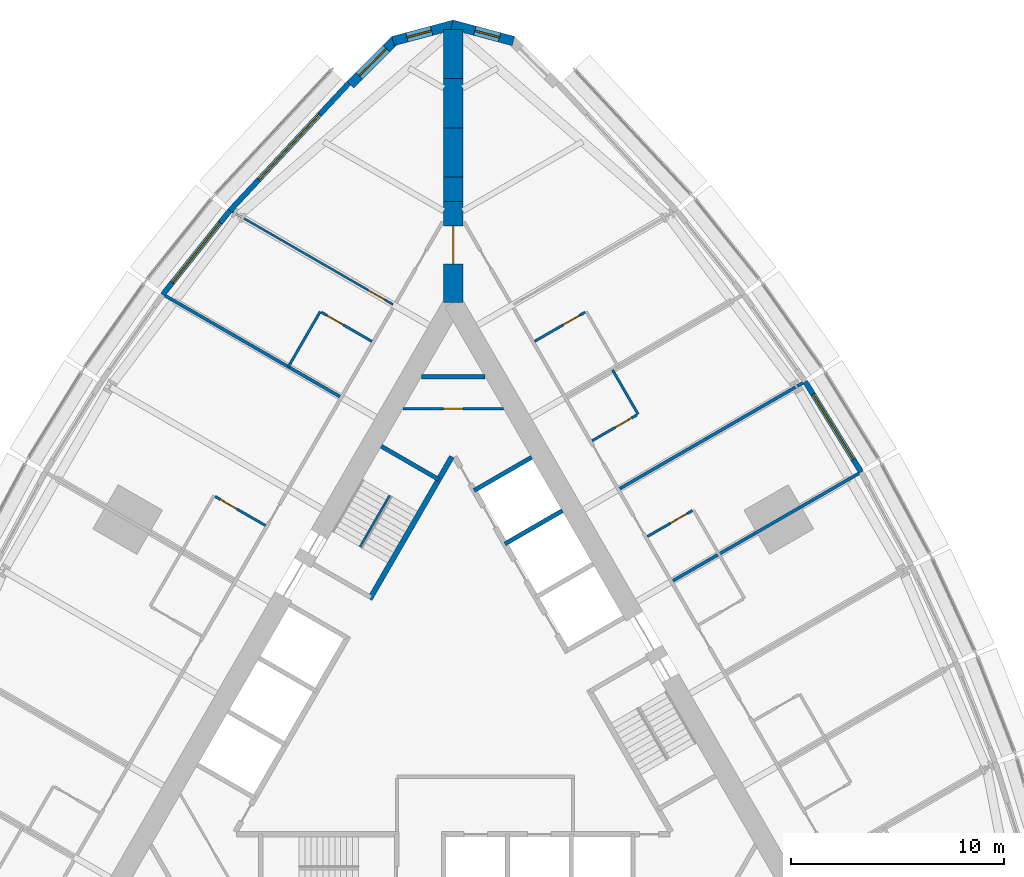
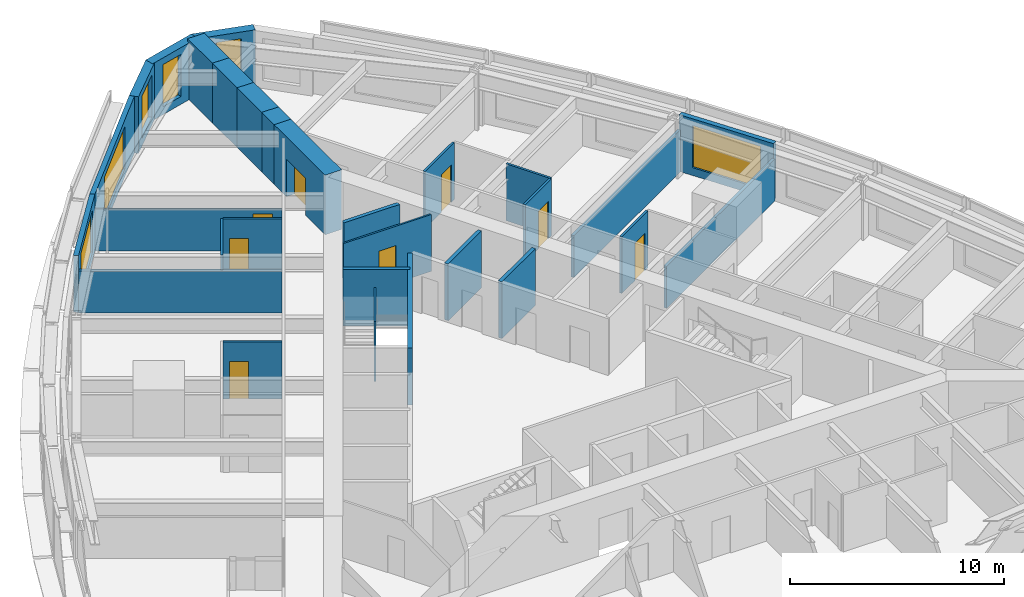
# One storey, part 12 of 14: 29 walls, 8 doors, 6 windows, 14 openings.
"""IFC4 building model written with IfcOpenShell, lengths in metres."""

from ifc_helpers import new_model, si_unit, direction, frame, frame_2d, origin, place, context, subcontext, project, spatial, polyline, rectangle, outline, extrude, material, layer, layer_set, type_object, element, fill, save


model = new_model("IFC4")

# Units and contexts
model_context = context("Model", 3, precision=1e-05, world=origin(), true_north=direction((0.0, 1.0)))
body_context = subcontext(model_context, "Body", "Model", "MODEL_VIEW")
ifc_project = project(units=[si_unit("LENGTHUNIT", "METRE"), si_unit("AREAUNIT", "SQUARE_METRE"), si_unit("VOLUMEUNIT", "CUBIC_METRE"), si_unit("PLANEANGLEUNIT", "RADIAN"), si_unit("MASSUNIT", "GRAM", prefix="KILO")], contexts=[model_context])

# Site, building, storey
site_placement = place(None, origin())
site = spatial("IfcSite", under=ifc_project, at=site_placement, CompositionType="ELEMENT")
building_placement = place(site_placement, origin())
building = spatial("IfcBuilding", under=site, at=building_placement, Name="Trikona Tower", CompositionType="ELEMENT")
storey_placement = place(building_placement, frame((0.0, 0.0, 28.5)))
storey = spatial("IfcBuildingStorey", under=building, at=storey_placement, Name="L05", CompositionType="ELEMENT", Elevation=28.5)

# Wall, opening, door
ifc_material_1 = material(Name="Metal stud and cement board", Category="gypsum")
ifc_layer_1 = layer(ifc_material_1, 0.1201171875)
ifc_layer_set_1 = layer_set([ifc_layer_1], Name="Bathroom wall 120")
wall_type_1 = type_object("IfcWallType", Name="Bathroom wall 120", PredefinedType="PLUMBINGWALL", material=ifc_layer_set_1)
wall_1_placement = place(storey_placement, frame((9.12841796875, 8.04150390625, 0.0), z_axis=(0.0, 0.0, 1.0), x_axis=(0.866005645448, 0.500034220881, 0.0)))
wall_1 = element("IfcWall", 1, at=wall_1_placement, inside=storey, type_object=wall_type_1, Name="Bathroom wall 0511", PredefinedType="PLUMBINGWALL", context=body_context, shape_type="SweptSolid", body=[
    extrude(rectangle(XDim=2.440185546875, YDim=0.1201171875, at=frame_2d((1.22021484375, 0.0))), origin(), (0.0, 0.0, 1.0), 3.235107421875),
])
opening_1_placement = place(wall_1_placement, frame((1.25, 0.0, 0.0)))
opening_1 = element("IfcOpeningElement", 2, at=opening_1_placement, cuts=wall_1, Name="Opening D2", PredefinedType="OPENING", context=body_context, shape_type="SweptSolid", body=[
    extrude(rectangle(XDim=0.89990234375, YDim=2.1298828125, at=frame_2d((0.449951171875, 1.06494140625))), frame((0.0, 0.070068359375, 0.0), z_axis=(0.0, -1.0, 0.0), x_axis=(1.0, 0.0, 0.0)), (0.0, 0.0, 1.0), 0.14013671875),
])
ifc_material_2 = material(Name="Steel door frame with solid-core timber leaf", Category="steel")
door_type_1 = type_object("IfcDoorType", Name="Bathroom door 900x2130", OperationType="SLIDING_TO_LEFT", PredefinedType="DOOR", material=ifc_material_2)
door_1_placement = place(opening_1_placement, origin())
door_1 = element("IfcDoor", 3, at=door_1_placement, inside=storey, type_object=door_type_1, Name="Bathroom door 0511", OperationType="SLIDING_TO_LEFT", OverallHeight=2.1298828125, OverallWidth=0.89990234375, PredefinedType="DOOR", context=body_context, shape_type="SweptSolid", body=[
    extrude(rectangle(XDim=0.89990234375, YDim=2.1298828125, at=frame_2d((0.449951171875, 1.06494140625))), frame((0.0, 0.02490234375, 0.0), z_axis=(0.0, -1.0, 0.0), x_axis=(1.0, 0.0, 0.0)), (0.0, 0.0, 1.0), 0.050048828125),
])
fill(opening_1, door_1)

# Wall
wall_2_placement = place(storey_placement, frame((8.693603515625, 13.794921875, 0.0), z_axis=(0.0, 0.0, 1.0), x_axis=(-0.500077600433, 0.865980596518, 0.0)))
element("IfcWall", 4, at=wall_2_placement, inside=storey, type_object=wall_type_1, Name="Bathroom wall 0512", PredefinedType="PLUMBINGWALL", context=body_context, shape_type="SweptSolid", body=[
    extrude(rectangle(XDim=2.39990234375, YDim=0.1201171875, at=frame_2d((1.199951171875, 0.0))), origin(), (0.0, 0.0, 1.0), 3.235107421875),
])

# Wall, opening, door
wall_3_placement = place(storey_placement, frame((6.528564453125, 12.544921875, 0.0), z_axis=(0.0, 0.0, 1.0), x_axis=(0.866023955769, 0.500002508028, 0.0)))
wall_3 = element("IfcWall", 5, at=wall_3_placement, inside=storey, type_object=wall_type_1, Name="Bathroom wall 0512", PredefinedType="PLUMBINGWALL", context=body_context, shape_type="SweptSolid", body=[
    extrude(rectangle(XDim=2.43994140625, YDim=0.1201171875, at=frame_2d((1.219970703125, 0.0))), origin(), (0.0, 0.0, 1.0), 3.235107421875),
])
opening_2_placement = place(wall_3_placement, frame((1.25, 0.0, 0.0)))
opening_2 = element("IfcOpeningElement", 6, at=opening_2_placement, cuts=wall_3, Name="Opening D2", PredefinedType="OPENING", context=body_context, shape_type="SweptSolid", body=[
    extrude(rectangle(XDim=0.89990234375, YDim=2.1298828125, at=frame_2d((0.449951171875, 1.06494140625))), frame((0.0, 0.070068359375, 0.0), z_axis=(0.0, -1.0, 0.0), x_axis=(1.0, 0.0, 0.0)), (0.0, 0.0, 1.0), 0.14013671875),
])
door_2_placement = place(opening_2_placement, origin())
door_2 = element("IfcDoor", 7, at=door_2_placement, inside=storey, type_object=door_type_1, Name="Bathroom door 0512", OperationType="SLIDING_TO_LEFT", OverallHeight=2.1298828125, OverallWidth=0.89990234375, PredefinedType="DOOR", context=body_context, shape_type="SweptSolid", body=[
    extrude(rectangle(XDim=0.89990234375, YDim=2.1298828125, at=frame_2d((0.449951171875, 1.06494140625))), frame((0.0, 0.02490234375, 0.0), z_axis=(0.0, -1.0, 0.0), x_axis=(1.0, 0.0, 0.0)), (0.0, 0.0, 1.0), 0.050048828125),
])
fill(opening_2, door_2)

wall_4_placement = place(storey_placement, frame((3.82861328125, 17.221435546875, 0.0), z_axis=(0.0, 0.0, 1.0), x_axis=(0.865997131366, 0.500048966069, 0.0)))
wall_4 = element("IfcWall", 8, at=wall_4_placement, inside=storey, type_object=wall_type_1, Name="Bathroom wall 0513.1", PredefinedType="PLUMBINGWALL", context=body_context, shape_type="SweptSolid", body=[
    extrude(rectangle(XDim=2.739990234375, YDim=0.1201171875, at=frame_2d((1.3701171875, 0.0))), origin(), (0.0, 0.0, 1.0), 3.235107421875),
])
opening_3_placement = place(wall_4_placement, frame((1.550048828125, 0.0, 0.0)))
opening_3 = element("IfcOpeningElement", 9, at=opening_3_placement, cuts=wall_4, Name="Opening D2", PredefinedType="OPENING", context=body_context, shape_type="SweptSolid", body=[
    extrude(rectangle(XDim=0.89990234375, YDim=2.1298828125, at=frame_2d((0.449951171875, 1.06494140625))), frame((0.0, 0.070068359375, 0.0), z_axis=(0.0, -1.0, 0.0), x_axis=(1.0, 0.0, 0.0)), (0.0, 0.0, 1.0), 0.14013671875),
])
door_3_placement = place(opening_3_placement, origin())
door_3 = element("IfcDoor", 10, at=door_3_placement, inside=storey, type_object=door_type_1, Name="Bathroom door 0513.1", OperationType="SLIDING_TO_LEFT", OverallHeight=2.1298828125, OverallWidth=0.89990234375, PredefinedType="DOOR", context=body_context, shape_type="SweptSolid", body=[
    extrude(rectangle(XDim=0.89990234375, YDim=2.1298828125, at=frame_2d((0.449951171875, 1.06494140625))), frame((0.0, 0.02490234375, 0.0), z_axis=(0.0, -1.0, 0.0), x_axis=(1.0, 0.0, 0.0)), (0.0, 0.0, 1.0), 0.050048828125),
])
fill(opening_3, door_3)

# Wall
wall_5_placement = place(storey_placement, frame((-6.25341796875, 18.62158203125, 0.0), z_axis=(0.0, 0.0, 1.0), x_axis=(-0.499990139034, -0.866031096941, 0.0)))
element("IfcWall", 11, at=wall_5_placement, inside=storey, type_object=wall_type_1, Name="Bathroom wall 0514.1", PredefinedType="PLUMBINGWALL", context=body_context, shape_type="SweptSolid", body=[
    extrude(rectangle(XDim=3.0, YDim=0.1201171875, at=frame_2d((1.5, 0.0))), origin(), (0.0, 0.0, 1.0), 3.235107421875),
])

# Wall, opening, door
wall_6_placement = place(storey_placement, frame((-3.82861328125, 17.221435546875, 0.0), z_axis=(0.0, 0.0, 1.0), x_axis=(-0.865997131366, 0.500048966069, 0.0)))
wall_6 = element("IfcWall", 12, at=wall_6_placement, inside=storey, type_object=wall_type_1, Name="Bathroom wall 0514.1", PredefinedType="PLUMBINGWALL", context=body_context, shape_type="SweptSolid", body=[
    extrude(rectangle(XDim=2.739990234375, YDim=0.1201171875, at=frame_2d((1.3701171875, 0.0))), origin(), (0.0, 0.0, 1.0), 3.235107421875),
])
opening_4_placement = place(wall_6_placement, frame((1.550048828125, 0.0, 0.0)))
opening_4 = element("IfcOpeningElement", 13, at=opening_4_placement, cuts=wall_6, Name="Opening D2", PredefinedType="OPENING", context=body_context, shape_type="SweptSolid", body=[
    extrude(rectangle(XDim=0.89990234375, YDim=2.1298828125, at=frame_2d((0.449951171875, 1.06494140625))), frame((0.0, 0.070068359375, 0.0), z_axis=(0.0, -1.0, 0.0), x_axis=(1.0, 0.0, 0.0)), (0.0, 0.0, 1.0), 0.14013671875),
])
door_4_placement = place(opening_4_placement, origin())
door_4 = element("IfcDoor", 14, at=door_4_placement, inside=storey, type_object=door_type_1, Name="Bathroom door 0514.1", OperationType="SLIDING_TO_LEFT", OverallHeight=2.1298828125, OverallWidth=0.89990234375, PredefinedType="DOOR", context=body_context, shape_type="SweptSolid", body=[
    extrude(rectangle(XDim=0.89990234375, YDim=2.1298828125, at=frame_2d((0.449951171875, 1.06494140625))), frame((0.0, 0.02490234375, 0.0), z_axis=(0.0, -1.0, 0.0), x_axis=(1.0, 0.0, 0.0)), (0.0, 0.0, 1.0), 0.050048828125),
])
fill(opening_4, door_4)

wall_7_placement = place(storey_placement, frame((-8.82861328125, 8.561279296875, 0.0), z_axis=(0.0, 0.0, 1.0), x_axis=(-0.866035715982, 0.499982138324, 0.0)))
wall_7 = element("IfcWall", 15, at=wall_7_placement, inside=storey, type_object=wall_type_1, Name="Bathroom wall 0515", PredefinedType="PLUMBINGWALL", context=body_context, shape_type="SweptSolid", body=[
    extrude(rectangle(XDim=2.73974609375, YDim=0.1201171875, at=frame_2d((1.369873046875, 0.0))), origin(), (0.0, 0.0, 1.0), 3.235107421875),
])
opening_5_placement = place(wall_7_placement, frame((1.550048828125, 0.0, 0.0)))
opening_5 = element("IfcOpeningElement", 16, at=opening_5_placement, cuts=wall_7, Name="Opening D2", PredefinedType="OPENING", context=body_context, shape_type="SweptSolid", body=[
    extrude(rectangle(XDim=0.89990234375, YDim=2.1298828125, at=frame_2d((0.449951171875, 1.06494140625))), frame((0.0, 0.070068359375, 0.0), z_axis=(0.0, -1.0, 0.0), x_axis=(1.0, 0.0, 0.0)), (0.0, 0.0, 1.0), 0.14013671875),
])
door_5_placement = place(opening_5_placement, origin())
door_5 = element("IfcDoor", 17, at=door_5_placement, inside=storey, type_object=door_type_1, Name="Bathroom door 0515", OperationType="SLIDING_TO_LEFT", OverallHeight=2.1298828125, OverallWidth=0.89990234375, PredefinedType="DOOR", context=body_context, shape_type="SweptSolid", body=[
    extrude(rectangle(XDim=0.89990234375, YDim=2.1298828125, at=frame_2d((0.449951171875, 1.06494140625))), frame((0.0, 0.02490234375, 0.0), z_axis=(0.0, -1.0, 0.0), x_axis=(1.0, 0.0, 0.0)), (0.0, 0.0, 1.0), 0.050048828125),
])
fill(opening_5, door_5)

# Wall, opening, window
ifc_material_3 = material(Name="Brick-faced precast concrete", Category="masonry")
ifc_layer_2 = layer(ifc_material_3, 0.449951171875)
ifc_layer_set_2 = layer_set([ifc_layer_2], Name="Brick-faced corner wall 450")
wall_type_2 = type_object("IfcWallType", Name="Brick-faced corner wall 450", PredefinedType="SOLIDWALL", material=ifc_layer_set_2)
wall_8_placement = place(storey_placement, frame((2.82861328125, 31.3408203125, 0.0), z_axis=(0.0, 0.0, 1.0), x_axis=(-0.965930548995, 0.258801419081, 0.0)))
wall_8 = element("IfcWall", 18, at=wall_8_placement, inside=storey, type_object=wall_type_2, Name="External wall L05-21", PredefinedType="SOLIDWALL", context=body_context, shape_type="SweptSolid", body=[
    extrude(outline(polyline([(2.988525390625, 0.22509765625), (2.92919921875, 0.22509765625), (2.4375, 0.09326171875), (2.40234375, 0.22509765625), (0.0, 0.22509765625), (0.0, -0.22509765625), (2.988525390625, -0.22509765625), (2.988525390625, 0.22509765625)])), origin(), (0.0, 0.0, 1.0), 3.235107421875),
])
opening_6_placement = place(wall_8_placement, frame((0.676025390625, 0.0, 0.449951171875)))
opening_6 = element("IfcOpeningElement", 19, at=opening_6_placement, cuts=wall_8, Name="Opening W1224", PredefinedType="OPENING", context=body_context, shape_type="SweptSolid", body=[
    extrude(rectangle(XDim=1.199951171875, YDim=2.39990234375, at=frame_2d((0.60009765625, 1.199951171875))), frame((0.0, 0.23486328125, 0.0), z_axis=(0.0, -1.0, 0.0), x_axis=(1.0, 0.0, 0.0)), (0.0, 0.0, 1.0), 0.469970703125),
])
ifc_material_4 = material(Name="Aluminium-framed double glazing", Category="aluminium")
window_type_1 = type_object("IfcWindowType", Name="Window 1200x2400", PartitioningType="SINGLE_PANEL", PredefinedType="WINDOW", material=ifc_material_4)
window_1_placement = place(opening_6_placement, origin())
window_1 = element("IfcWindow", 20, at=window_1_placement, inside=storey, type_object=window_type_1, Name="Window 0513", OverallHeight=2.39990234375, OverallWidth=1.199951171875, PartitioningType="SINGLE_PANEL", PredefinedType="WINDOW", context=body_context, shape_type="SweptSolid", body=[
    extrude(rectangle(XDim=1.199951171875, YDim=2.39990234375, at=frame_2d((0.60009765625, 1.199951171875))), frame((0.0, 0.030029296875, 0.0), z_axis=(0.0, -1.0, 0.0), x_axis=(1.0, 0.0, 0.0)), (0.0, 0.0, 1.0), 0.06005859375),
])
fill(opening_6, window_1)

wall_9_placement = place(storey_placement, frame((0.05810546875, 32.1142578125, 0.0), z_axis=(0.0, 0.0, 1.0), x_axis=(-0.965930548995, -0.258801419081, 0.0)))
wall_9 = element("IfcWall", 21, at=wall_9_placement, inside=storey, type_object=wall_type_2, Name="External wall L05-22", PredefinedType="SOLIDWALL", context=body_context, shape_type="SweptSolid", body=[
    extrude(outline(polyline([(2.988525390625, 0.22509765625), (0.58642578125, 0.22509765625), (0.551025390625, 0.09326171875), (0.059326171875, 0.22509765625), (0.0, 0.22509765625), (0.0, -0.22509765625), (2.988525390625, -0.22509765625), (2.988525390625, 0.22509765625)])), origin(), (0.0, 0.0, 1.0), 3.235107421875),
])
opening_7_placement = place(wall_9_placement, frame((1.112548828125, 0.0, 0.449951171875)))
opening_7 = element("IfcOpeningElement", 22, at=opening_7_placement, cuts=wall_9, Name="Opening W1224", PredefinedType="OPENING", context=body_context, shape_type="SweptSolid", body=[
    extrude(rectangle(XDim=1.199951171875, YDim=2.39990234375, at=frame_2d((0.60009765625, 1.199951171875))), frame((0.0, 0.23486328125, 0.0), z_axis=(0.0, -1.0, 0.0), x_axis=(1.0, 0.0, 0.0)), (0.0, 0.0, 1.0), 0.469970703125),
])
window_2_placement = place(opening_7_placement, origin())
window_2 = element("IfcWindow", 23, at=window_2_placement, inside=storey, type_object=window_type_1, Name="Window 0514", OverallHeight=2.39990234375, OverallWidth=1.199951171875, PartitioningType="SINGLE_PANEL", PredefinedType="WINDOW", context=body_context, shape_type="SweptSolid", body=[
    extrude(rectangle(XDim=1.199951171875, YDim=2.39990234375, at=frame_2d((0.60009765625, 1.199951171875))), frame((0.0, 0.030029296875, 0.0), z_axis=(0.0, -1.0, 0.0), x_axis=(1.0, 0.0, 0.0)), (0.0, 0.0, 1.0), 0.06005859375),
])
fill(opening_7, window_2)

wall_10_placement = place(storey_placement, frame((-2.727783203125, 31.39892578125, 0.0), z_axis=(0.0, 0.0, 1.0), x_axis=(-0.707106781187, -0.707106781187, 0.0)))
wall_10 = element("IfcWall", 24, at=wall_10_placement, inside=storey, type_object=wall_type_2, Name="External wall L05-23", PredefinedType="SOLIDWALL", context=body_context, shape_type="SweptSolid", body=[
    extrude(rectangle(XDim=2.98828125, YDim=0.449951171875, at=frame_2d((1.494140625, 0.0))), origin(), (0.0, 0.0, 1.0), 3.235107421875),
])
opening_8_placement = place(wall_10_placement, frame((0.59423828125, 0.0, 0.449951171875)))
opening_8 = element("IfcOpeningElement", 25, at=opening_8_placement, cuts=wall_10, Name="Opening W1824", PredefinedType="OPENING", context=body_context, shape_type="SweptSolid", body=[
    extrude(rectangle(XDim=1.800048828125, YDim=2.39990234375, at=frame_2d((0.89990234375, 1.199951171875))), frame((0.0, 0.23486328125, 0.0), z_axis=(0.0, -1.0, 0.0), x_axis=(1.0, 0.0, 0.0)), (0.0, 0.0, 1.0), 0.469970703125),
])
ifc_material_5 = material(Name="Aluminium-framed double glazing", Category="aluminium")
window_type_2 = type_object("IfcWindowType", Name="Window 1800x2400", PartitioningType="SINGLE_PANEL", PredefinedType="WINDOW", material=ifc_material_5)
window_3_placement = place(opening_8_placement, origin())
window_3 = element("IfcWindow", 26, at=window_3_placement, inside=storey, type_object=window_type_2, Name="Window 0514", OverallHeight=2.39990234375, OverallWidth=1.800048828125, PartitioningType="SINGLE_PANEL", PredefinedType="WINDOW", context=body_context, shape_type="SweptSolid", body=[
    extrude(rectangle(XDim=1.800048828125, YDim=2.39990234375, at=frame_2d((0.89990234375, 1.199951171875))), frame((0.0, 0.030029296875, 0.0), z_axis=(0.0, -1.0, 0.0), x_axis=(1.0, 0.0, 0.0)), (0.0, 0.0, 1.0), 0.06005859375),
])
fill(opening_8, window_3)

# Wall, opening, door
ifc_material_6 = material(Name="Concrete f'c 10000 psi", Category="concrete")
ifc_layer_3 = layer(ifc_material_6, 0.89990234375)
ifc_layer_set_3 = layer_set([ifc_layer_3], Name="Buttress wall 900")
wall_type_3 = type_object("IfcWallType", Name="Buttress wall 900", PredefinedType="SHEAR", material=ifc_layer_set_3)
wall_11_placement = place(storey_placement, frame((0.0, 19.052490234375, 0.0), z_axis=(0.0, 0.0, 1.0), x_axis=(0.0, 1.0, 0.0)))
wall_11 = element("IfcWall", 27, at=wall_11_placement, inside=storey, type_object=wall_type_3, Name="Buttress wall 2", PredefinedType="SHEAR", context=body_context, shape_type="SweptSolid", body=[
    extrude(rectangle(XDim=4.74609375, YDim=0.89990234375, at=frame_2d((2.373046875, 0.0))), origin(), (0.0, 0.0, 1.0), 3.39990234375),
])
opening_9_placement = place(wall_11_placement, frame((1.800048828125, 0.0, 0.0)))
opening_9 = element("IfcOpeningElement", 28, at=opening_9_placement, cuts=wall_11, Name="Opening D10", PredefinedType="OPENING", context=body_context, shape_type="SweptSolid", body=[
    extrude(rectangle(XDim=1.800048828125, YDim=2.1298828125, at=frame_2d((0.89990234375, 1.06494140625))), frame((0.0, 0.4599609375, 0.0), z_axis=(0.0, -1.0, 0.0), x_axis=(1.0, 0.0, 0.0)), (0.0, 0.0, 1.0), 0.919921875),
])
ifc_material_7 = material(Name="Hollow metal door and frame", Category="steel")
door_type_2 = type_object("IfcDoorType", Name="Cross-corridor door pair 1800x2130", OperationType="DOUBLE_DOOR_DOUBLE_SWING", PredefinedType="DOOR", material=ifc_material_7)
door_6_placement = place(opening_9_placement, origin())
door_6 = element("IfcDoor", 29, at=door_6_placement, inside=storey, type_object=door_type_2, Name="Cross-corridor door 2", OperationType="DOUBLE_DOOR_DOUBLE_SWING", OverallHeight=2.1298828125, OverallWidth=1.800048828125, PredefinedType="DOOR", context=body_context, shape_type="SweptSolid", body=[
    extrude(rectangle(XDim=1.800048828125, YDim=2.1298828125, at=frame_2d((0.89990234375, 1.06494140625))), frame((0.0, 0.02490234375, 0.0), z_axis=(0.0, -1.0, 0.0), x_axis=(1.0, 0.0, 0.0)), (0.0, 0.0, 1.0), 0.050048828125),
])
fill(opening_9, door_6)

# Walls
wall_12_placement = place(storey_placement, frame((0.0, 23.798583984375, 0.0), z_axis=(0.0, 0.0, 1.0), x_axis=(0.0, 1.0, 0.0)))
element("IfcWall", 30, at=wall_12_placement, inside=storey, type_object=wall_type_3, Name="Buttress wall 2 part 2", PredefinedType="SHEAR", context=body_context, shape_type="SweptSolid", body=[
    extrude(rectangle(XDim=1.15478515625, YDim=0.89990234375, at=frame_2d((0.577392578125, 0.0))), origin(), (0.0, 0.0, 1.0), 3.39990234375),
])
wall_13_placement = place(storey_placement, frame((0.0, 24.953369140625, 0.0), z_axis=(0.0, 0.0, 1.0), x_axis=(0.0, 1.0, 0.0)))
element("IfcWall", 31, at=wall_13_placement, inside=storey, type_object=wall_type_3, Name="Buttress wall 2 part 3", PredefinedType="SHEAR", context=body_context, shape_type="SweptSolid", body=[
    extrude(rectangle(XDim=2.309326171875, YDim=0.89990234375, at=frame_2d((1.15478515625, 0.0))), origin(), (0.0, 0.0, 1.0), 3.39990234375),
])
wall_14_placement = place(storey_placement, frame((0.0, 27.2626953125, 0.0), z_axis=(0.0, 0.0, 1.0), x_axis=(0.0, 1.0, 0.0)))
element("IfcWall", 32, at=wall_14_placement, inside=storey, type_object=wall_type_3, Name="Buttress wall 2 part 4", PredefinedType="SHEAR", context=body_context, shape_type="SweptSolid", body=[
    extrude(rectangle(XDim=2.3095703125, YDim=0.89990234375, at=frame_2d((1.15478515625, 0.0))), origin(), (0.0, 0.0, 1.0), 3.39990234375),
])
wall_15_placement = place(storey_placement, frame((0.0, 29.572265625, 0.0), z_axis=(0.0, 0.0, 1.0), x_axis=(0.0, 1.0, 0.0)))
element("IfcWall", 33, at=wall_15_placement, inside=storey, type_object=wall_type_3, Name="Buttress wall 2 part 5", PredefinedType="SHEAR", context=body_context, shape_type="SweptSolid", body=[
    extrude(rectangle(XDim=2.309326171875, YDim=0.89990234375, at=frame_2d((1.15478515625, 0.0))), origin(), (0.0, 0.0, 1.0), 3.39990234375),
])
ifc_material_8 = material(Name="Concrete f'c 8000 psi", Category="concrete")
ifc_layer_4 = layer(ifc_material_8, 0.25)
ifc_layer_set_4 = layer_set([ifc_layer_4], Name="Hub wall 250")
wall_type_4 = type_object("IfcWallType", Name="Hub wall 250", PredefinedType="SOLIDWALL", material=ifc_layer_set_4)
wall_16_placement = place(storey_placement, frame((-0.0625, 11.794189453125, 0.0), z_axis=(0.0, 0.0, 1.0), x_axis=(-0.500006680225, -0.86602154692, 0.0)))
element("IfcWall", 34, at=wall_16_placement, inside=storey, type_object=wall_type_4, Name="Lift lobby wall C1", PredefinedType="SOLIDWALL", context=body_context, shape_type="SweptSolid", body=[
    extrude(rectangle(XDim=7.73291015625, YDim=0.25, at=frame_2d((3.866455078125, 0.0))), origin(), (0.0, 0.0, 1.0), 3.235107421875),
])

# Wall, opening, window
ifc_material_9 = material(Name="Insulated precast concrete spandrel panel", Category="concrete")
ifc_layer_5 = layer(ifc_material_9, 0.25)
ifc_layer_set_5 = layer_set([ifc_layer_5], Name="Inner skin wall 250")
wall_type_5 = type_object("IfcWallType", Name="Inner skin wall 250", PredefinedType="STANDARD", material=ifc_layer_set_5)
wall_17_placement = place(storey_placement, frame((19.182373046875, 11.070556640625, 0.0), z_axis=(0.0, 0.0, 1.0), x_axis=(-0.526132807704, 0.850402415717, 0.0)))
wall_17 = element("IfcWall", 35, at=wall_17_placement, inside=storey, type_object=wall_type_5, Name="External wall L05-16", PredefinedType="STANDARD", context=body_context, shape_type="SweptSolid", body=[
    extrude(rectangle(XDim=5.002197265625, YDim=0.25, at=frame_2d((2.5009765625, 0.0))), origin(), (0.0, 0.0, 1.0), 3.235107421875),
])
opening_10_placement = place(wall_17_placement, frame((0.701171875, 0.0, 0.449951171875)))
opening_10 = element("IfcOpeningElement", 36, at=opening_10_placement, cuts=wall_17, Name="Opening W3624", PredefinedType="OPENING", context=body_context, shape_type="SweptSolid", body=[
    extrude(rectangle(XDim=3.60009765625, YDim=2.39990234375, at=frame_2d((1.800048828125, 1.199951171875))), frame((0.0, 0.135009765625, 0.0), z_axis=(0.0, -1.0, 0.0), x_axis=(1.0, 0.0, 0.0)), (0.0, 0.0, 1.0), 0.27001953125),
])
ifc_material_10 = material(Name="Aluminium-framed double glazing", Category="aluminium")
window_type_3 = type_object("IfcWindowType", Name="Window 3600x2400", PartitioningType="SINGLE_PANEL", PredefinedType="WINDOW", material=ifc_material_10)
window_4_placement = place(opening_10_placement, origin())
window_4 = element("IfcWindow", 37, at=window_4_placement, inside=storey, type_object=window_type_3, Name="Window 0511", OverallHeight=2.39990234375, OverallWidth=3.60009765625, PartitioningType="SINGLE_PANEL", PredefinedType="WINDOW", context=body_context, shape_type="SweptSolid", body=[
    extrude(rectangle(XDim=3.60009765625, YDim=2.39990234375, at=frame_2d((1.800048828125, 1.199951171875))), frame((0.0, 0.030029296875, 0.0), z_axis=(0.0, -1.0, 0.0), x_axis=(1.0, 0.0, 0.0)), (0.0, 0.0, 1.0), 0.06005859375),
])
fill(opening_10, window_4)

wall_18_placement = place(storey_placement, frame((-4.90869140625, 29.359619140625, 0.0), z_axis=(0.0, 0.0, 1.0), x_axis=(-0.682289646561, -0.731081964075, 0.0)))
wall_18 = element("IfcWall", 38, at=wall_18_placement, inside=storey, type_object=wall_type_5, Name="External wall L05-24", PredefinedType="STANDARD", context=body_context, shape_type="SweptSolid", body=[
    extrude(rectangle(XDim=8.2109375, YDim=0.25, at=frame_2d((4.10546875, 0.0))), origin(), (0.0, 0.0, 1.0), 3.235107421875),
])
opening_11_placement = place(wall_18_placement, frame((2.005615234375, 0.0, 0.449951171875)))
opening_11 = element("IfcOpeningElement", 39, at=opening_11_placement, cuts=wall_18, Name="Opening W4224", PredefinedType="OPENING", context=body_context, shape_type="SweptSolid", body=[
    extrude(rectangle(XDim=4.199951171875, YDim=2.39990234375, at=frame_2d((2.10009765625, 1.199951171875))), frame((0.0, 0.135009765625, 0.0), z_axis=(0.0, -1.0, 0.0), x_axis=(1.0, 0.0, 0.0)), (0.0, 0.0, 1.0), 0.27001953125),
])
ifc_material_11 = material(Name="Aluminium-framed double glazing", Category="aluminium")
window_type_4 = type_object("IfcWindowType", Name="Window 4200x2400", PartitioningType="SINGLE_PANEL", PredefinedType="WINDOW", material=ifc_material_11)
window_5_placement = place(opening_11_placement, origin())
window_5 = element("IfcWindow", 40, at=window_5_placement, inside=storey, type_object=window_type_4, Name="Window 0514", OverallHeight=2.39990234375, OverallWidth=4.199951171875, PartitioningType="SINGLE_PANEL", PredefinedType="WINDOW", context=body_context, shape_type="SweptSolid", body=[
    extrude(rectangle(XDim=4.199951171875, YDim=2.39990234375, at=frame_2d((2.10009765625, 1.199951171875))), frame((0.0, 0.030029296875, 0.0), z_axis=(0.0, -1.0, 0.0), x_axis=(1.0, 0.0, 0.0)), (0.0, 0.0, 1.0), 0.06005859375),
])
fill(opening_11, window_5)

wall_19_placement = place(storey_placement, frame((-10.5048828125, 23.36376953125, 0.0), z_axis=(0.0, 0.0, 1.0), x_axis=(-0.624594965756, -0.780948864364, 0.0)))
wall_19 = element("IfcWall", 41, at=wall_19_placement, inside=storey, type_object=wall_type_5, Name="External wall L05-25", PredefinedType="STANDARD", context=body_context, shape_type="SweptSolid", body=[
    extrude(rectangle(XDim=5.0576171875, YDim=0.25, at=frame_2d((2.52880859375, 0.0))), origin(), (0.0, 0.0, 1.0), 3.235107421875),
])
opening_12_placement = place(wall_19_placement, frame((0.728759765625, 0.0, 0.449951171875)))
opening_12 = element("IfcOpeningElement", 42, at=opening_12_placement, cuts=wall_19, Name="Opening W3624", PredefinedType="OPENING", context=body_context, shape_type="SweptSolid", body=[
    extrude(rectangle(XDim=3.60009765625, YDim=2.39990234375, at=frame_2d((1.800048828125, 1.199951171875))), frame((0.0, 0.135009765625, 0.0), z_axis=(0.0, -1.0, 0.0), x_axis=(1.0, 0.0, 0.0)), (0.0, 0.0, 1.0), 0.27001953125),
])
window_6_placement = place(opening_12_placement, origin())
window_6 = element("IfcWindow", 43, at=window_6_placement, inside=storey, type_object=window_type_3, Name="Window 0514.1", OverallHeight=2.39990234375, OverallWidth=3.60009765625, PartitioningType="SINGLE_PANEL", PredefinedType="WINDOW", context=body_context, shape_type="SweptSolid", body=[
    extrude(rectangle(XDim=3.60009765625, YDim=2.39990234375, at=frame_2d((1.800048828125, 1.199951171875))), frame((0.0, 0.030029296875, 0.0), z_axis=(0.0, -1.0, 0.0), x_axis=(1.0, 0.0, 0.0)), (0.0, 0.0, 1.0), 0.06005859375),
])
fill(opening_12, window_6)

# Walls
ifc_material_12 = material(Name="Metal stud and gypsum board, 1-hour acoustic", Category="gypsum")
ifc_layer_6 = layer(ifc_material_12, 0.14990234375)
ifc_layer_set_6 = layer_set([ifc_layer_6], Name="Party wall 150")
wall_type_6 = type_object("IfcWallType", Name="Party wall 150", PredefinedType="PARTITIONING", material=ifc_layer_set_6)
wall_20_placement = place(storey_placement, frame((10.32861328125, 5.963134765625, 0.0), z_axis=(0.0, 0.0, 1.0), x_axis=(0.866021688545, 0.500006434927, 0.0)))
element("IfcWall", 44, at=wall_20_placement, inside=storey, type_object=wall_type_6, Name="Partition L05 F2 u0", PredefinedType="PARTITIONING", context=body_context, shape_type="SweptSolid", body=[
    extrude(rectangle(XDim=10.095947265625, YDim=0.14990234375, at=frame_2d((5.0478515625, 0.0))), origin(), (0.0, 0.0, 1.0), 2.38916015625),
])
wall_21_placement = place(storey_placement, frame((7.82861328125, 10.293212890625, 0.0), z_axis=(0.0, 0.0, 1.0), x_axis=(0.866016302457, 0.50001576363, 0.0)))
element("IfcWall", 45, at=wall_21_placement, inside=storey, type_object=wall_type_6, Name="Partition L05 F2 u5", PredefinedType="PARTITIONING", context=body_context, shape_type="SweptSolid", body=[
    extrude(rectangle(XDim=9.943115234375, YDim=0.14990234375, at=frame_2d((4.9716796875, 0.0))), origin(), (0.0, 0.0, 1.0), 2.38916015625),
])
wall_22_placement = place(storey_placement, frame((-5.32861328125, 14.623291015625, 0.0), z_axis=(0.0, 0.0, 1.0), x_axis=(-0.866018409083, 0.500012114982, 0.0)))
element("IfcWall", 46, at=wall_22_placement, inside=storey, type_object=wall_type_6, Name="Partition L05 F3 u-10", PredefinedType="PARTITIONING", context=body_context, shape_type="SweptSolid", body=[
    extrude(rectangle(XDim=9.484619140625, YDim=0.14990234375, at=frame_2d((4.7421875, 0.0))), origin(), (0.0, 0.0, 1.0), 2.38916015625),
])
ifc_material_13 = material(Name="Concrete f'c 8000 psi", Category="concrete")
ifc_layer_7 = layer(ifc_material_13, 0.199951171875)
ifc_layer_set_7 = layer_set([ifc_layer_7], Name="Shaft wall 200")
wall_type_7 = type_object("IfcWallType", Name="Shaft wall 200", PredefinedType="SOLIDWALL", material=ifc_layer_set_7)
for number, where, z_axis, x_axis, name in (
    (47, (2.428955078125, 7.695556640625, 0.0), (0.0, 0.0, 1.0), (0.866022959057, 0.500004234368, 0.0), "Shaft wall B5"),
    (48, (0.97900390625, 10.20703125, 0.0), (0.0, 0.0, 1.0), (0.866022959057, 0.500004234368, 0.0), "Shaft wall B6"),
):
    element("IfcWall", number, at=place(storey_placement, frame(where, z_axis=z_axis, x_axis=x_axis)), inside=storey, type_object=wall_type_7, Name=name, PredefinedType="SOLIDWALL", context=body_context, shape_type="SweptSolid", body=[
        extrude(rectangle(XDim=3.125, YDim=0.199951171875, at=frame_2d((1.5625, 0.0))), origin(), (0.0, 0.0, 1.0), 3.235107421875),
    ])
wall_23_placement = place(storey_placement, frame((-1.501220703125, 15.552490234375, 0.0), z_axis=(0.0, 0.0, 1.0), x_axis=(1.0, 0.0, 0.0)))
element("IfcWall", 49, at=wall_23_placement, inside=storey, type_object=wall_type_7, Name="Riser wall L05-RS2", PredefinedType="SOLIDWALL", context=body_context, shape_type="SweptSolid", body=[
    extrude(rectangle(XDim=3.00244140625, YDim=0.199951171875, at=frame_2d((1.501220703125, 0.0))), origin(), (0.0, 0.0, 1.0), 3.235107421875),
])
ifc_material_14 = material(Name="Concrete f'c 8000 psi", Category="concrete")
ifc_layer_8 = layer(ifc_material_14, 0.199951171875)
ifc_layer_set_8 = layer_set([ifc_layer_8], Name="Shaft wall 200 load-bearing")
wall_type_8 = type_object("IfcWallType", Name="Shaft wall 200 load-bearing", PredefinedType="SOLIDWALL", material=ifc_layer_set_8)
wall_24_placement = place(storey_placement, frame((-0.678955078125, 10.7265625, 0.0), z_axis=(0.0, 0.0, 1.0), x_axis=(-0.866022959057, 0.500004234368, 0.0)))
element("IfcWall", 50, at=wall_24_placement, inside=storey, type_object=wall_type_8, Name="Shaft wall C1", PredefinedType="SOLIDWALL", context=body_context, shape_type="SweptSolid", body=[
    extrude(rectangle(XDim=3.125, YDim=0.199951171875, at=frame_2d((1.5625, 0.0))), origin(), (0.0, 0.0, 1.0), 3.235107421875),
])
ifc_material_15 = material(Name="Concrete f'c 5000 psi", Category="concrete")
ifc_layer_9 = layer(ifc_material_15, 0.10009765625)
ifc_layer_set_9 = layer_set([ifc_layer_9], Name="Stair spine wall 100")
wall_type_9 = type_object("IfcWallType", Name="Stair spine wall 100", PredefinedType="SOLIDWALL", material=ifc_layer_set_9)
wall_25_placement = place(storey_placement, frame((-2.98779296875, 9.9775390625, 0.0), z_axis=(0.0, 0.0, 1.0), x_axis=(-0.499992232847, -0.866029888106, 0.0)))
element("IfcWall", 51, at=wall_25_placement, inside=storey, type_object=wall_type_9, Name="Stair C spine wall L05", PredefinedType="SOLIDWALL", context=body_context, shape_type="SweptSolid", body=[
    extrude(rectangle(XDim=2.7939453125, YDim=0.10009765625, at=frame_2d((1.39697265625, 0.0))), origin(), (0.0, 0.0, 1.0), 3.39990234375),
])

# Wall, opening, door
ifc_material_16 = material(Name="Metal stud and gypsum board, acoustic", Category="gypsum")
ifc_layer_10 = layer(ifc_material_16, 0.10009765625)
ifc_layer_set_10 = layer_set([ifc_layer_10], Name="Suite partition 100")
wall_type_10 = type_object("IfcWallType", Name="Suite partition 100", PredefinedType="PARTITIONING", material=ifc_layer_set_10)
wall_26_placement = place(storey_placement, frame((-2.82861328125, 18.95361328125, 0.0), z_axis=(0.0, 0.0, 1.0), x_axis=(-0.866020536561, 0.500008430184, 0.0)))
wall_26 = element("IfcWall", 52, at=wall_26_placement, inside=storey, type_object=wall_type_10, Name="Suite partition L05 F3 u-15", PredefinedType="PARTITIONING", context=body_context, shape_type="SweptSolid", body=[
    extrude(rectangle(XDim=8.719970703125, YDim=0.10009765625, at=frame_2d((4.35986328125, 0.0))), origin(), (0.0, 0.0, 1.0), 2.38916015625),
])
opening_13_placement = place(wall_26_placement, frame((0.449951171875, 0.0, 0.0)))
opening_13 = element("IfcOpeningElement", 53, at=opening_13_placement, cuts=wall_26, Name="Opening D13", PredefinedType="OPENING", context=body_context, shape_type="SweptSolid", body=[
    extrude(rectangle(XDim=0.89990234375, YDim=2.1298828125, at=frame_2d((0.449951171875, 1.06494140625))), frame((0.0, 0.06005859375, 0.0), z_axis=(0.0, -1.0, 0.0), x_axis=(1.0, 0.0, 0.0)), (0.0, 0.0, 1.0), 0.1201171875),
])
ifc_material_17 = material(Name="Steel door frame with solid-core timber leaf", Category="steel")
door_type_3 = type_object("IfcDoorType", Name="Suite door 900x2130", OperationType="SINGLE_SWING_LEFT", PredefinedType="DOOR", material=ifc_material_17)
door_7_placement = place(opening_13_placement, origin())
door_7 = element("IfcDoor", 54, at=door_7_placement, inside=storey, type_object=door_type_3, Name="Suite door 0514", OperationType="SINGLE_SWING_LEFT", OverallHeight=2.1298828125, OverallWidth=0.89990234375, PredefinedType="DOOR", context=body_context, shape_type="SweptSolid", body=[
    extrude(rectangle(XDim=0.89990234375, YDim=2.1298828125, at=frame_2d((0.449951171875, 1.06494140625))), frame((0.0, 0.02490234375, 0.0), z_axis=(0.0, -1.0, 0.0), x_axis=(1.0, 0.0, 0.0)), (0.0, 0.0, 1.0), 0.050048828125),
])
fill(opening_13, door_7)

wall_27_placement = place(storey_placement, frame((-2.3671875, 14.052490234375, 0.0), z_axis=(0.0, 0.0, 1.0), x_axis=(1.0, 0.0, 0.0)))
wall_27 = element("IfcWall", 55, at=wall_27_placement, inside=storey, type_object=wall_type_10, Name="Store partition L05-RS2", PredefinedType="PARTITIONING", context=body_context, shape_type="SweptSolid", body=[
    extrude(rectangle(XDim=4.734375, YDim=0.10009765625, at=frame_2d((2.3671875, 0.0))), origin(), (0.0, 0.0, 1.0), 3.235107421875),
])
opening_14_placement = place(wall_27_placement, frame((1.9169921875, 0.0, 0.0)))
opening_14 = element("IfcOpeningElement", 56, at=opening_14_placement, cuts=wall_27, Name="Opening D15", PredefinedType="OPENING", context=body_context, shape_type="SweptSolid", body=[
    extrude(rectangle(XDim=0.89990234375, YDim=2.1298828125, at=frame_2d((0.449951171875, 1.06494140625))), frame((0.0, 0.06005859375, 0.0), z_axis=(0.0, -1.0, 0.0), x_axis=(1.0, 0.0, 0.0)), (0.0, 0.0, 1.0), 0.1201171875),
])
ifc_material_18 = material(Name="Steel door frame with solid-core timber leaf", Category="steel")
door_type_4 = type_object("IfcDoorType", Name="Store door 900x2130", OperationType="SINGLE_SWING_LEFT", PredefinedType="DOOR", material=ifc_material_18)
door_8_placement = place(opening_14_placement, origin())
door_8 = element("IfcDoor", 57, at=door_8_placement, inside=storey, type_object=door_type_4, Name="Door Storage STO", OperationType="SINGLE_SWING_LEFT", OverallHeight=2.1298828125, OverallWidth=0.89990234375, PredefinedType="DOOR", context=body_context, shape_type="SweptSolid", body=[
    extrude(rectangle(XDim=0.89990234375, YDim=2.1298828125, at=frame_2d((0.449951171875, 1.06494140625))), frame((0.0, 0.02490234375, 0.0), z_axis=(0.0, -1.0, 0.0), x_axis=(1.0, 0.0, 0.0)), (0.0, 0.0, 1.0), 0.050048828125),
])
fill(opening_14, door_8)

save(model, "model.ifc")
